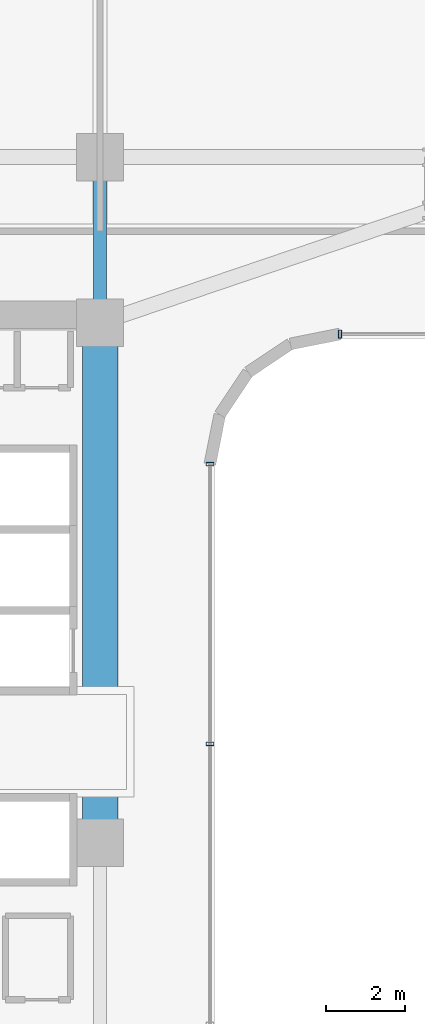
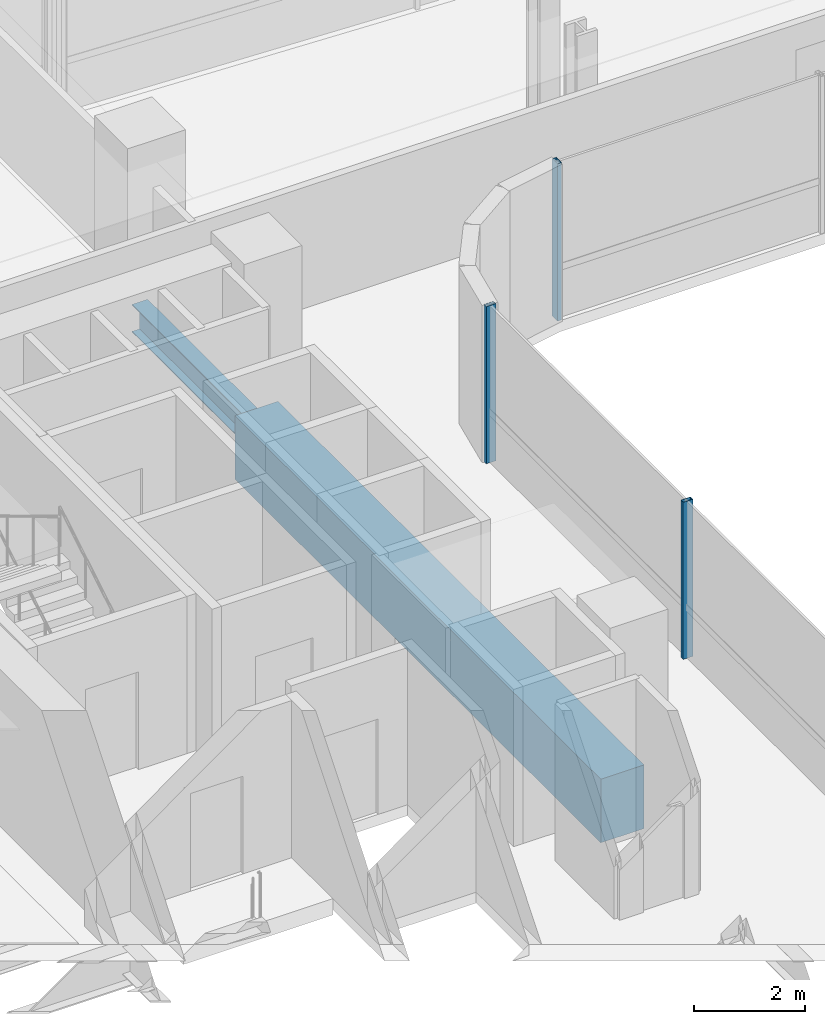
# One storey, part 10 of 35: 3 members, 2 beams, 2 elements without a shape of their own.
"""IFC4 building model written with IfcOpenShell, lengths in metres."""

from ifc_helpers import new_model, si_unit, direction, frame, origin, origin_2d, place, context, subcontext, project, spatial, rectangle, hollow_rectangle, i_section, extrude, source, transform, mapped, material, material_profile, profile_set, type_object, element, aggregate, save


model = new_model("IFC4")

# Units and contexts
model_context = context("Model", 3, precision=1e-05, world=origin(), true_north=direction((0.0, 1.0)))
body_context = subcontext(model_context, "Body", "Model", "MODEL_VIEW")
ifc_project = project(units=[si_unit("LENGTHUNIT", "METRE"), si_unit("AREAUNIT", "SQUARE_METRE"), si_unit("VOLUMEUNIT", "CUBIC_METRE"), si_unit("PLANEANGLEUNIT", "RADIAN"), si_unit("MASSUNIT", "GRAM", prefix="KILO")], contexts=[model_context])

# Site, building, storey
site_placement = place(None, origin())
site = spatial("IfcSite", under=ifc_project, at=site_placement, CompositionType="ELEMENT")
building_placement = place(site_placement, origin())
building = spatial("IfcBuilding", under=site, at=building_placement, Name="Valdorenza Pilgrim Sanctuary Tower", CompositionType="ELEMENT")
storey_placement = place(building_placement, frame((0.0, 0.0, 124.199951171875)))
storey = spatial("IfcBuildingStorey", under=building, at=storey_placement, Name="L31", CompositionType="ELEMENT", Elevation=124.199951171875)

# Beams
ifc_material_1 = material(Name="Concrete C60/75", Category="concrete")
ifc_material_profile_1 = material_profile(ifc_material_1, rectangle(XDim=0.89990234375, YDim=1.39990234375, at=origin_2d()), Name="RC 1400x900")
ifc_profile_set_1 = profile_set([ifc_material_profile_1], Name="Concrete C60/75")
beam_type_1 = type_object("IfcBeamType", Name="STR-BM-LNT-1400", PredefinedType="LINTEL", material=ifc_profile_set_1)
shared_shape_1 = source(origin(), body_context, "Body", "SweptSolid", [
    extrude(rectangle(XDim=0.89990234375, YDim=1.39990234375, at=origin_2d()), origin(), (0.0, 0.0, 1.0), 13.2001953125),
])
beam_1_placement = place(storey_placement, frame((-12.39990234375, -2.60009765625, -0.739990234375), z_axis=(0.0, 1.0, 0.0), x_axis=(-1.0, 0.0, 0.0)))
element("IfcBeam", 1, at=beam_1_placement, inside=storey, type_object=beam_type_1, Name="L31 Core A Coupling Lintel Girder", PredefinedType="LINTEL", context=body_context, shape_type="MappedRepresentation", body=[
    mapped(shared_shape_1, transform((0.0, 0.0, 0.0), x_axis=(1.0, 0.0, 0.0), y_axis=(0.0, 1.0, 0.0), z_axis=(0.0, 0.0, 1.0), scale=1.0)),
])
ifc_material_2 = material(Name="Steel ASTM A992 Grade 50", Category="steel")
ifc_material_profile_2 = material_profile(ifc_material_2, i_section(OverallWidth=0.323974609375, OverallDepth=0.611083984375, WebThickness=0.0126953125, FlangeThickness=0.01904296875, at=origin_2d()), Name="W24X104")
ifc_profile_set_2 = profile_set([ifc_material_profile_2], Name="Steel ASTM A992 Grade 50")
beam_type_2 = type_object("IfcBeamType", Name="STR-BM-GRD-W24B", PredefinedType="BEAM", material=ifc_profile_set_2)
shared_shape_2 = source(origin(), body_context, "Body", "SweptSolid", [
    extrude(i_section(OverallWidth=0.323974609375, OverallDepth=0.611083984375, WebThickness=0.0126953125, FlangeThickness=0.01904296875, at=origin_2d()), origin(), (0.0, 0.0, 1.0), 4.199951171875),
])
beam_2_placement = place(storey_placement, frame((-12.39990234375, 10.60009765625, -0.54541015625), z_axis=(0.0, 1.0, 0.0), x_axis=(-1.0, 0.0, 0.0)))
element("IfcBeam", 2, at=beam_2_placement, inside=storey, type_object=beam_type_2, Name="L31 Core Tie Girder CA-E-N1N2", PredefinedType="BEAM", context=body_context, shape_type="MappedRepresentation", body=[
    mapped(shared_shape_2, transform((0.0, 0.0, 0.0), x_axis=(1.0, 0.0, 0.0), y_axis=(0.0, 1.0, 0.0), z_axis=(0.0, 0.0, 1.0), scale=1.0)),
])

# Curtain wall, member
ifc_material_3 = material(Name="Curtain-wall IGU glazing", Category="glass")
curtain_wall_type = type_object("IfcCurtainWallType", Name="CW-SYS-02", PredefinedType="NOTDEFINED", material=ifc_material_3)
curtain_wall_1_placement = place(storey_placement, origin())
curtain_wall_1 = element("IfcCurtainWall", 3, at=curtain_wall_1_placement, inside=storey, type_object=curtain_wall_type, Name="L31 Curtain Wall CW-L31-1-36", PredefinedType="NOTDEFINED")
ifc_material_4 = material(Name="Anodised aluminium AW-6060", Category="aluminium")
ifc_material_profile_3 = material_profile(ifc_material_4, hollow_rectangle(XDim=0.0849609375, YDim=0.199951171875, WallThickness=0.0048828125, at=origin_2d()), Name="ALU-M 200x85x5")
ifc_profile_set_3 = profile_set([ifc_material_profile_3], Name="Anodised aluminium AW-6060")
member_type = type_object("IfcMemberType", Name="CW-MUL-02", PredefinedType="MULLION", material=ifc_profile_set_3)
shared_shape_3 = source(origin(), body_context, "Body", "SweptSolid", [
    extrude(hollow_rectangle(XDim=0.0849609375, YDim=0.199951171875, WallThickness=0.0048828125, at=origin_2d()), origin(), (0.0, 0.0, 1.0), 3.4599609375),
])
member_1_placement = place(storey_placement, frame((-6.310791015625, 10.31005859375, 0.0), z_axis=(0.0, 0.0, 1.0), x_axis=(-1.0, 0.0, 0.0)))
member_1 = element("IfcMember", 4, at=member_1_placement, type_object=member_type, Name="CW-L31-1-36 Mullion 4", PredefinedType="MULLION", context=body_context, shape_type="MappedRepresentation", body=[
    mapped(shared_shape_3, transform((0.0, 0.0, 0.0), x_axis=(1.0, 0.0, 0.0), y_axis=(0.0, 1.0, 0.0), z_axis=(0.0, 0.0, 1.0), scale=1.0)),
])
aggregate(curtain_wall_1, [member_1])

# Curtain wall, members
curtain_wall_2_placement = place(storey_placement, origin())
curtain_wall_2 = element("IfcCurtainWall", 5, at=curtain_wall_2_placement, inside=storey, type_object=curtain_wall_type, Name="L31 Curtain Wall CW-L31-1-41", PredefinedType="NOTDEFINED")
member_2_placement = place(storey_placement, frame((-9.610107421875, 7.0107421875, 0.0), z_axis=(0.0, 0.0, 1.0), x_axis=(0.0, -1.0, 0.0)))
member_2 = element("IfcMember", 6, at=member_2_placement, type_object=member_type, Name="CW-L31-1-41 Mullion 1", PredefinedType="MULLION", context=body_context, shape_type="MappedRepresentation", body=[
    mapped(shared_shape_3, transform((0.0, 0.0, 0.0), x_axis=(1.0, 0.0, 0.0), y_axis=(0.0, 1.0, 0.0), z_axis=(0.0, 0.0, 1.0), scale=1.0)),
])
member_3_placement = place(storey_placement, frame((-9.610107421875, -0.089111328125, 0.0), z_axis=(0.0, 0.0, 1.0), x_axis=(0.0, -1.0, 0.0)))
member_3 = element("IfcMember", 7, at=member_3_placement, type_object=member_type, Name="CW-L31-1-41 Mullion 2", PredefinedType="MULLION", context=body_context, shape_type="MappedRepresentation", body=[
    mapped(shared_shape_3, transform((0.0, 0.0, 0.0), x_axis=(1.0, 0.0, 0.0), y_axis=(0.0, 1.0, 0.0), z_axis=(0.0, 0.0, 1.0), scale=1.0)),
])
aggregate(curtain_wall_2, [member_2, member_3])

save(model, "model.ifc")
